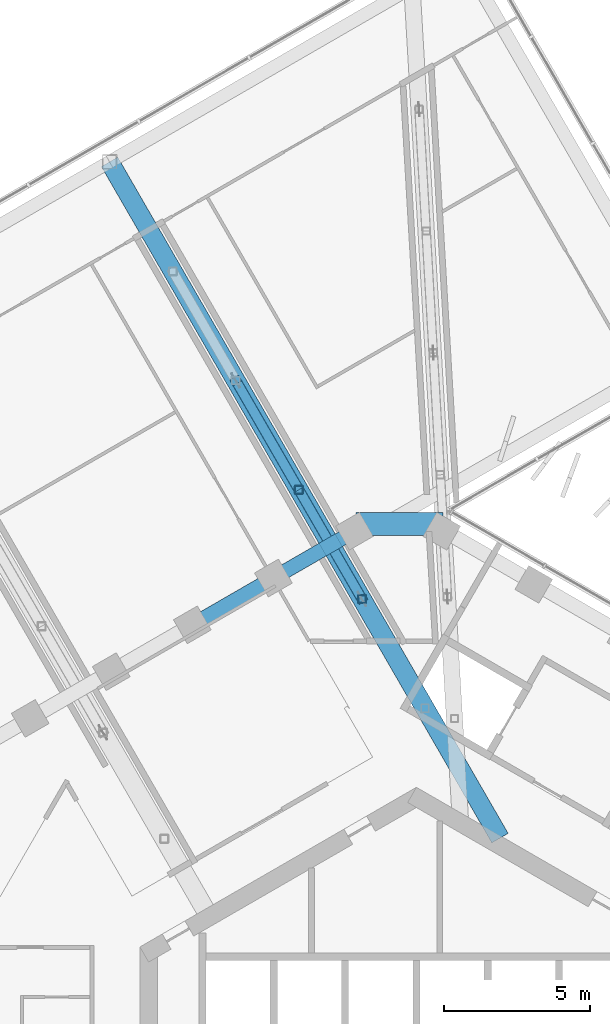
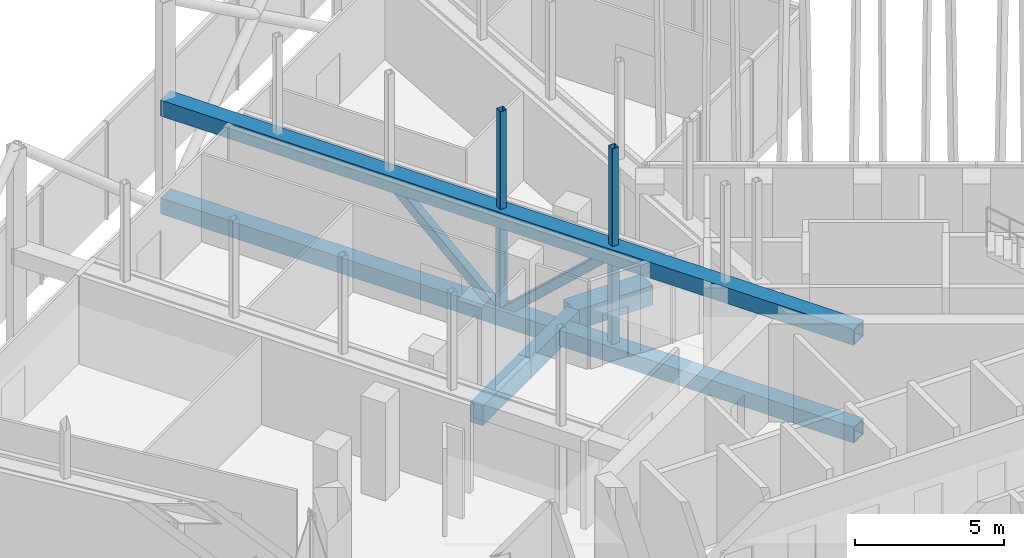
# One storey, part 6 of 29: 8 members, 3 beams.
"""IFC4 building model written with IfcOpenShell, lengths in metres."""

from ifc_helpers import new_model, si_unit, direction, frame, origin, origin_2d, place, context, subcontext, project, spatial, rectangle, hollow_rectangle, extrude, material, material_profile, profile_set, type_object, element, save


model = new_model("IFC4")

# Units and contexts
model_context = context("Model", 3, precision=1e-05, world=origin(), true_north=direction((0.0, 1.0)))
body_context = subcontext(model_context, "Body", "Model", "MODEL_VIEW")
ifc_project = project(units=[si_unit("LENGTHUNIT", "METRE"), si_unit("AREAUNIT", "SQUARE_METRE"), si_unit("VOLUMEUNIT", "CUBIC_METRE"), si_unit("PLANEANGLEUNIT", "RADIAN"), si_unit("MASSUNIT", "GRAM", prefix="KILO")], contexts=[model_context])

# Site, building, storey
site_placement = place(None, origin())
site = spatial("IfcSite", under=ifc_project, at=site_placement, CompositionType="ELEMENT")
building_placement = place(site_placement, origin())
building = spatial("IfcBuilding", under=site, at=building_placement, Name="Ayvan Gate Tower", CompositionType="ELEMENT")
storey_placement = place(building_placement, frame((0.0, 0.0, 186.699951171875)))
storey = spatial("IfcBuildingStorey", under=building, at=storey_placement, Name="L50", CompositionType="ELEMENT", Elevation=186.699951171875)

# Beam
ifc_material_1 = material(Name="Concrete C40/50", Category="concrete")
ifc_material_profile_1 = material_profile(ifc_material_1, rectangle(XDim=0.800048828125, YDim=0.800048828125, at=origin_2d()), Name="RC 800x800")
ifc_profile_set_1 = profile_set([ifc_material_profile_1], Name="Concrete C40/50")
beam_type_1 = type_object("IfcBeamType", Name="Corner spandrel beam RC 800x800 C40/50", PredefinedType="BEAM", material=ifc_profile_set_1)
beam_1_placement = place(storey_placement, frame((0.92041015625, 20.019287109375, -0.800048828125), z_axis=(-1.0, 0.0, 0.0), x_axis=(0.0, -1.0, 0.0)))
element("IfcBeam", 1, at=beam_1_placement, inside=storey, type_object=beam_type_1, Name="SB-L50-12", PredefinedType="BEAM", context=body_context, shape_type="SweptSolid", body=[
    extrude(rectangle(XDim=0.800048828125, YDim=0.800048828125, at=origin_2d()), origin(), (0.0, 0.0, 1.0), 3.0),
])

# Members
ifc_material_2 = material(Name="Steel S460NH", Category="steel")
ifc_material_profile_2 = material_profile(ifc_material_2, hollow_rectangle(XDim=0.35009765625, YDim=0.35009765625, WallThickness=0.01416015625, InnerFilletRadius=0.01416015625, OuterFilletRadius=0.021240234375, at=origin_2d()), Name="RHS 350x350x14.2")
ifc_profile_set_2 = profile_set([ifc_material_profile_2], Name="Steel S460NH")
member_type_1 = type_object("IfcMemberType", Name="Sky bar truss brace B4 RHS 350x350x14.2", PredefinedType="BRACE", material=ifc_profile_set_2)
member_1_placement = place(storey_placement, frame((-1.870849609375, 17.4404296875, 3.275146484375), z_axis=(-0.367542029477, 0.63659835414, -0.677978902381), x_axis=(-0.866024344433, -0.500001834845, 0.0)))
element("IfcMember", 2, at=member_1_placement, inside=storey, type_object=member_type_1, Name="SBT4-2-D-3", PredefinedType="BRACE", context=body_context, shape_type="SweptSolid", body=[
    extrude(hollow_rectangle(XDim=0.35009765625, YDim=0.35009765625, WallThickness=0.01416015625, InnerFilletRadius=0.01416015625, OuterFilletRadius=0.021240234375, at=origin_2d()), origin(), (0.0, 0.0, 1.0), 5.89990234375),
])
member_2_placement = place(storey_placement, frame((-4.039306640625, 21.1962890625, -0.724853515625), z_axis=(-0.367551711627, 0.636573742395, 0.677996762362), x_axis=(-0.866010269842, -0.50002621184, 0.0)))
element("IfcMember", 3, at=member_2_placement, inside=storey, type_object=member_type_1, Name="SBT4-2-D-4", PredefinedType="BRACE", context=body_context, shape_type="SweptSolid", body=[
    extrude(hollow_rectangle(XDim=0.35009765625, YDim=0.35009765625, WallThickness=0.01416015625, InnerFilletRadius=0.01416015625, OuterFilletRadius=0.021240234375, at=origin_2d()), origin(), (0.0, 0.0, 1.0), 5.899658203125),
])
ifc_material_3 = material(Name="Steel S460ML", Category="steel")
ifc_material_profile_3 = material_profile(ifc_material_3, hollow_rectangle(XDim=0.64990234375, YDim=0.64990234375, WallThickness=0.034912109375, at=origin_2d()), Name="BOX 650x650x35")
ifc_profile_set_3 = profile_set([ifc_material_profile_3], Name="Steel S460ML")
member_type_2 = type_object("IfcMemberType", Name="Sky bar truss chord B4 BOX 650x650x35", PredefinedType="CHORD", material=ifc_profile_set_3)
for number, where, z_axis, x_axis, name in (
    (4, (2.87255859375, 9.224609375, -0.724853515625), (-0.49999836183, 0.86602634958, 0.0), (-0.86602634958, -0.49999836183, 0.0), "SBT4-2-BC-1"),
    (5, (2.87255859375, 9.224609375, 3.275146484375), (-0.49999836183, 0.86602634958, 0.0), (-0.86602634958, -0.49999836183, 0.0), "SBT4-2-TC-1"),
):
    element("IfcMember", number, at=place(storey_placement, frame(where, z_axis=z_axis, x_axis=x_axis)), inside=storey, type_object=member_type_2, Name=name, PredefinedType="CHORD", context=body_context, shape_type="SweptSolid", body=[
        extrude(hollow_rectangle(XDim=0.64990234375, YDim=0.64990234375, WallThickness=0.034912109375, at=origin_2d()), origin(), (0.0, 0.0, 1.0), 26.833984375),
    ])
ifc_material_profile_4 = material_profile(ifc_material_2, hollow_rectangle(XDim=0.300048828125, YDim=0.300048828125, WallThickness=0.01416015625, InnerFilletRadius=0.01416015625, OuterFilletRadius=0.021240234375, at=origin_2d()), Name="RHS 300x300x14.2")
ifc_profile_set_4 = profile_set([ifc_material_profile_4], Name="Steel S460NH")
member_type_3 = type_object("IfcMemberType", Name="Sky bar truss post B4 RHS 300x300x14.2", PredefinedType="POST", material=ifc_profile_set_4)
for number, where, z_axis, x_axis, name in (
    (6, (-1.870849609375, 17.4404296875, -0.39990234375), (0.0, 0.0, 1.0), (1.0, 0.0, 0.0), "SBT4-2-P-2"),
    (7, (-4.039306640625, 21.1962890625, -0.39990234375), (0.0, 0.0, 1.0), (1.0, 0.0, 0.0), "SBT4-2-P-3"),
):
    element("IfcMember", number, at=place(storey_placement, frame(where, z_axis=z_axis, x_axis=x_axis)), inside=storey, type_object=member_type_3, Name=name, PredefinedType="POST", context=body_context, shape_type="SweptSolid", body=[
        extrude(hollow_rectangle(XDim=0.300048828125, YDim=0.300048828125, WallThickness=0.01416015625, InnerFilletRadius=0.01416015625, OuterFilletRadius=0.021240234375, at=origin_2d()), origin(), (0.0, 0.0, 1.0), 3.349853515625),
    ])
ifc_material_profile_5 = material_profile(ifc_material_2, hollow_rectangle(XDim=0.260009765625, YDim=0.260009765625, WallThickness=0.012451171875, InnerFilletRadius=0.012451171875, OuterFilletRadius=0.018798828125, at=origin_2d()), Name="RHS 260x260x12.5")
ifc_profile_set_5 = profile_set([ifc_material_profile_5], Name="Steel S460NH")
member_type_4 = type_object("IfcMemberType", Name="Sky bar upper post B4 RHS 260x260x12.5", PredefinedType="POST", material=ifc_profile_set_5)
for number, where, z_axis, x_axis, name in (
    (8, (-1.870849609375, 17.4404296875, 3.60009765625), (0.0, 0.0, 1.0), (1.0, 0.0, 0.0), "SBT4-2-U-2"),
    (9, (-4.039306640625, 21.1962890625, 3.60009765625), (0.0, 0.0, 1.0), (1.0, 0.0, 0.0), "SBT4-2-U-3"),
):
    element("IfcMember", number, at=place(storey_placement, frame(where, z_axis=z_axis, x_axis=x_axis)), inside=storey, type_object=member_type_4, Name=name, PredefinedType="POST", context=body_context, shape_type="SweptSolid", body=[
        extrude(hollow_rectangle(XDim=0.260009765625, YDim=0.260009765625, WallThickness=0.012451171875, InnerFilletRadius=0.012451171875, OuterFilletRadius=0.018798828125, at=origin_2d()), origin(), (0.0, 0.0, 1.0), 4.0),
    ])

# Beams
ifc_material_profile_6 = material_profile(ifc_material_1, rectangle(XDim=0.5, YDim=0.800048828125, at=origin_2d()), Name="RC 500x800")
ifc_profile_set_6 = profile_set([ifc_material_profile_6], Name="Concrete C40/50")
beam_type_2 = type_object("IfcBeamType", Name="Spandrel beam RC 500x800 C40/50", PredefinedType="BEAM", material=ifc_profile_set_6)
beam_2_placement = place(storey_placement, frame((-2.07958984375, 19.79931640625, -0.800048828125), z_axis=(-0.866036236431, -0.499981236836, 0.0), x_axis=(0.499981236836, -0.866036236431, 0.0)))
element("IfcBeam", 10, at=beam_2_placement, inside=storey, type_object=beam_type_2, Name="SB-L50-13", PredefinedType="BEAM", context=body_context, shape_type="SweptSolid", body=[
    extrude(rectangle(XDim=0.5, YDim=0.800048828125, at=origin_2d()), origin(), (0.0, 0.0, 1.0), 3.2392578125),
])
beam_3_placement = place(storey_placement, frame((-4.885009765625, 18.1796875, -0.800048828125), z_axis=(-0.866003601989, -0.500037759916, 0.0), x_axis=(0.500037759916, -0.866003601989, 0.0)))
element("IfcBeam", 11, at=beam_3_placement, inside=storey, type_object=beam_type_2, Name="SB-L50-14", PredefinedType="BEAM", context=body_context, shape_type="SweptSolid", body=[
    extrude(rectangle(XDim=0.5, YDim=0.800048828125, at=origin_2d()), origin(), (0.0, 0.0, 1.0), 3.239501953125),
])

save(model, "model.ifc")
